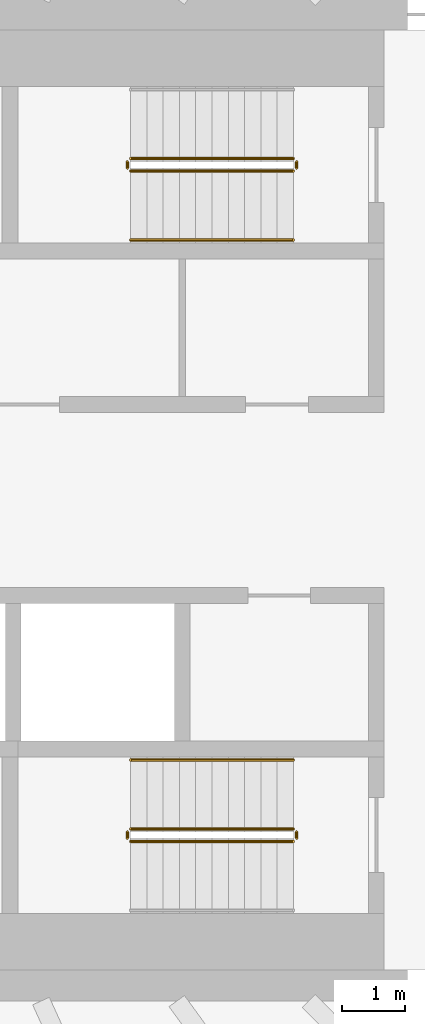
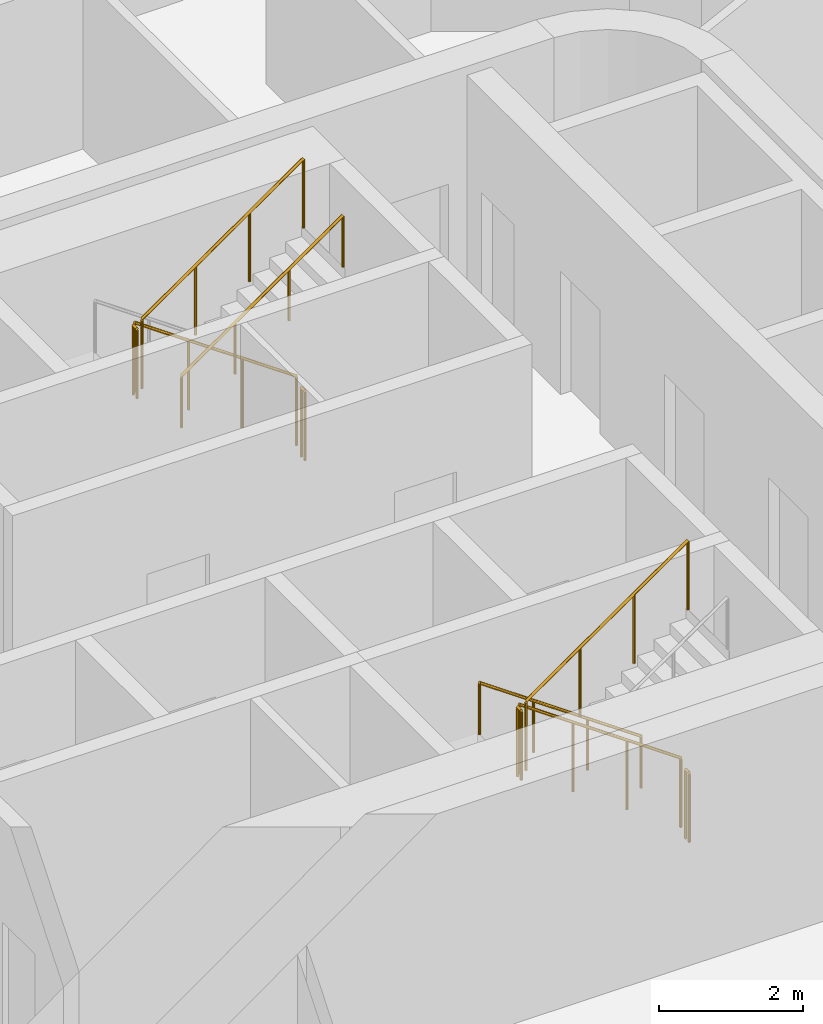
# One storey, part 21 of 23: 10 railings.
"""IFC4 building model written with IfcOpenShell, lengths in metres."""

from ifc_helpers import new_model, si_unit, direction, frame, origin, origin_2d, place, context, subcontext, project, spatial, circle, extrude, material, type_object, element, save


model = new_model("IFC4")

# Units and contexts
model_context = context("Model", 3, precision=1e-05, world=origin(), true_north=direction((0.0, 1.0)))
body_context = subcontext(model_context, "Body", "Model", "MODEL_VIEW")
ifc_project = project(units=[si_unit("LENGTHUNIT", "METRE"), si_unit("AREAUNIT", "SQUARE_METRE"), si_unit("VOLUMEUNIT", "CUBIC_METRE"), si_unit("PLANEANGLEUNIT", "RADIAN"), si_unit("MASSUNIT", "GRAM", prefix="KILO")], contexts=[model_context])

# Site, building, storey
site_placement = place(None, origin())
site = spatial("IfcSite", under=ifc_project, at=site_placement, CompositionType="ELEMENT")
building_placement = place(site_placement, origin())
building = spatial("IfcBuilding", under=site, at=building_placement, Name="Sahrelin Media Tower", CompositionType="ELEMENT")
storey_placement = place(building_placement, frame((0.0, 0.0, 161.60009765625)))
storey = spatial("IfcBuildingStorey", under=building, at=storey_placement, Name="L33", CompositionType="ELEMENT", Elevation=161.60009765625)

# Railings
ifc_material = material(Name="Steel S355", Category="steel")
railing_type_1 = type_object("IfcRailingType", Name="Stair guard 1200", PredefinedType="GUARDRAIL", material=ifc_material)
railing_1_placement = place(storey_placement, frame((7.675048828125, 5.449951171875, 0.181640625)))
element("IfcRailing", 1, at=railing_1_placement, inside=storey, type_object=railing_type_1, Name="L33 ST3 stair guard 1", PredefinedType="GUARDRAIL", context=body_context, shape_type="SweptSolid", body=[
    extrude(circle(Radius=0.02392578125, at=origin_2d()), frame((0.0, 0.0, 1.17578125), z_axis=(-0.819484887739, 0.0, 0.573100792852), x_axis=(0.0, -1.0, 0.0)), (0.0, 0.0, 1.0), 3.1728515625),
    extrude(circle(Radius=0.02099609375, at=origin_2d()), origin(), (0.0, 0.0, 1.0), 1.15185546875),
    extrude(circle(Radius=0.02099609375, at=origin_2d()), frame((-0.86669921875, 0.0, 0.606201171875)), (0.0, 0.0, 1.0), 1.15185546875),
    extrude(circle(Radius=0.02099609375, at=origin_2d()), frame((-1.7333984375, 0.0, 1.212158203125)), (0.0, 0.0, 1.0), 1.15185546875),
    extrude(circle(Radius=0.02099609375, at=origin_2d()), frame((-2.60009765625, 0.0, 1.818359375)), (0.0, 0.0, 1.0), 1.15185546875),
])
railing_2_placement = place(storey_placement, frame((5.02490234375, 5.39990234375, 2.0)))
element("IfcRailing", 2, at=railing_2_placement, inside=storey, type_object=railing_type_1, Name="L33 ST3 stair guard 2", PredefinedType="GUARDRAIL", context=body_context, shape_type="SweptSolid", body=[
    extrude(circle(Radius=0.02392578125, at=origin_2d()), frame((0.0, 0.0, 1.17578125), z_axis=(0.0, -1.0, 0.0), x_axis=(1.0, 0.0, 0.0)), (0.0, 0.0, 1.0), 0.099853515625),
    extrude(circle(Radius=0.02099609375, at=origin_2d()), origin(), (0.0, 0.0, 1.0), 1.15185546875),
    extrude(circle(Radius=0.02099609375, at=origin_2d()), frame((0.0, -0.099853515625, 0.0)), (0.0, 0.0, 1.0), 1.15185546875),
])
railing_3_placement = place(storey_placement, frame((5.074951171875, 5.25, 2.181640625)))
element("IfcRailing", 3, at=railing_3_placement, inside=storey, type_object=railing_type_1, Name="L33 ST3 stair guard 3", PredefinedType="GUARDRAIL", context=body_context, shape_type="SweptSolid", body=[
    extrude(circle(Radius=0.02392578125, at=origin_2d()), frame((0.0, 0.0, 1.17578125), z_axis=(0.819484887739, 0.0, 0.573100792852), x_axis=(0.0, 1.0, 0.0)), (0.0, 0.0, 1.0), 3.1728515625),
    extrude(circle(Radius=0.02099609375, at=origin_2d()), origin(), (0.0, 0.0, 1.0), 1.15185546875),
    extrude(circle(Radius=0.02099609375, at=origin_2d()), frame((0.86669921875, 0.0, 0.606201171875)), (0.0, 0.0, 1.0), 1.15185546875),
    extrude(circle(Radius=0.02099609375, at=origin_2d()), frame((1.7333984375, 0.0, 1.212158203125)), (0.0, 0.0, 1.0), 1.15185546875),
    extrude(circle(Radius=0.02099609375, at=origin_2d()), frame((2.60009765625, 0.0, 1.818359375)), (0.0, 0.0, 1.0), 1.15185546875),
])
railing_4_placement = place(storey_placement, frame((7.72509765625, 5.39990234375, 0.0)))
element("IfcRailing", 4, at=railing_4_placement, inside=storey, type_object=railing_type_1, Name="L33 ST3 stair guard 4", PredefinedType="GUARDRAIL", context=body_context, shape_type="SweptSolid", body=[
    extrude(circle(Radius=0.02392578125, at=origin_2d()), frame((0.0, 0.0, 1.17578125), z_axis=(0.0, -1.0, 0.0), x_axis=(1.0, 0.0, 0.0)), (0.0, 0.0, 1.0), 0.099853515625),
    extrude(circle(Radius=0.02099609375, at=origin_2d()), origin(), (0.0, 0.0, 1.0), 1.15185546875),
    extrude(circle(Radius=0.02099609375, at=origin_2d()), frame((0.0, -0.099853515625, 0.0)), (0.0, 0.0, 1.0), 1.15185546875),
])
railing_5_placement = place(storey_placement, frame((7.675048828125, -5.25, 0.181640625)))
element("IfcRailing", 5, at=railing_5_placement, inside=storey, type_object=railing_type_1, Name="L33 ST2 stair guard 1", PredefinedType="GUARDRAIL", context=body_context, shape_type="SweptSolid", body=[
    extrude(circle(Radius=0.02392578125, at=origin_2d()), frame((0.0, 0.0, 1.17578125), z_axis=(-0.819484887739, 0.0, 0.573100792852), x_axis=(0.0, -1.0, 0.0)), (0.0, 0.0, 1.0), 3.1728515625),
    extrude(circle(Radius=0.02099609375, at=origin_2d()), origin(), (0.0, 0.0, 1.0), 1.15185546875),
    extrude(circle(Radius=0.02099609375, at=origin_2d()), frame((-0.86669921875, 0.0, 0.606201171875)), (0.0, 0.0, 1.0), 1.15185546875),
    extrude(circle(Radius=0.02099609375, at=origin_2d()), frame((-1.7333984375, 0.0, 1.212158203125)), (0.0, 0.0, 1.0), 1.15185546875),
    extrude(circle(Radius=0.02099609375, at=origin_2d()), frame((-2.60009765625, 0.0, 1.818359375)), (0.0, 0.0, 1.0), 1.15185546875),
])
railing_6_placement = place(storey_placement, frame((5.02490234375, -5.300048828125, 2.0)))
element("IfcRailing", 6, at=railing_6_placement, inside=storey, type_object=railing_type_1, Name="L33 ST2 stair guard 2", PredefinedType="GUARDRAIL", context=body_context, shape_type="SweptSolid", body=[
    extrude(circle(Radius=0.02392578125, at=origin_2d()), frame((0.0, 0.0, 1.17578125), z_axis=(0.0, -1.0, 0.0), x_axis=(1.0, 0.0, 0.0)), (0.0, 0.0, 1.0), 0.099853515625),
    extrude(circle(Radius=0.02099609375, at=origin_2d()), origin(), (0.0, 0.0, 1.0), 1.15185546875),
    extrude(circle(Radius=0.02099609375, at=origin_2d()), frame((0.0, -0.099853515625, 0.0)), (0.0, 0.0, 1.0), 1.15185546875),
])
railing_7_placement = place(storey_placement, frame((5.074951171875, -5.449951171875, 2.181640625)))
element("IfcRailing", 7, at=railing_7_placement, inside=storey, type_object=railing_type_1, Name="L33 ST2 stair guard 3", PredefinedType="GUARDRAIL", context=body_context, shape_type="SweptSolid", body=[
    extrude(circle(Radius=0.02392578125, at=origin_2d()), frame((0.0, 0.0, 1.17578125), z_axis=(0.819484887739, 0.0, 0.573100792852), x_axis=(0.0, 1.0, 0.0)), (0.0, 0.0, 1.0), 3.1728515625),
    extrude(circle(Radius=0.02099609375, at=origin_2d()), origin(), (0.0, 0.0, 1.0), 1.15185546875),
    extrude(circle(Radius=0.02099609375, at=origin_2d()), frame((0.86669921875, 0.0, 0.606201171875)), (0.0, 0.0, 1.0), 1.15185546875),
    extrude(circle(Radius=0.02099609375, at=origin_2d()), frame((1.7333984375, 0.0, 1.212158203125)), (0.0, 0.0, 1.0), 1.15185546875),
    extrude(circle(Radius=0.02099609375, at=origin_2d()), frame((2.60009765625, 0.0, 1.818359375)), (0.0, 0.0, 1.0), 1.15185546875),
])
railing_8_placement = place(storey_placement, frame((7.72509765625, -5.300048828125, 0.0)))
element("IfcRailing", 8, at=railing_8_placement, inside=storey, type_object=railing_type_1, Name="L33 ST2 stair guard 4", PredefinedType="GUARDRAIL", context=body_context, shape_type="SweptSolid", body=[
    extrude(circle(Radius=0.02392578125, at=origin_2d()), frame((0.0, 0.0, 1.17578125), z_axis=(0.0, -1.0, 0.0), x_axis=(1.0, 0.0, 0.0)), (0.0, 0.0, 1.0), 0.099853515625),
    extrude(circle(Radius=0.02099609375, at=origin_2d()), origin(), (0.0, 0.0, 1.0), 1.15185546875),
    extrude(circle(Radius=0.02099609375, at=origin_2d()), frame((0.0, -0.099853515625, 0.0)), (0.0, 0.0, 1.0), 1.15185546875),
])
railing_type_2 = type_object("IfcRailingType", Name="Stair handrail 900", PredefinedType="HANDRAIL", material=ifc_material)
railing_9_placement = place(storey_placement, frame((5.074951171875, 4.14990234375, 2.181640625)))
element("IfcRailing", 9, at=railing_9_placement, inside=storey, type_object=railing_type_2, Name="L33 ST3 stair handrail 2", PredefinedType="HANDRAIL", context=body_context, shape_type="SweptSolid", body=[
    extrude(circle(Radius=0.02392578125, at=origin_2d()), frame((0.0, 0.0, 0.8759765625), z_axis=(0.819484887739, 0.0, 0.573100792852), x_axis=(0.0, 1.0, 0.0)), (0.0, 0.0, 1.0), 3.1728515625),
    extrude(circle(Radius=0.02099609375, at=origin_2d()), origin(), (0.0, 0.0, 1.0), 0.851806640625),
    extrude(circle(Radius=0.02099609375, at=origin_2d()), frame((0.86669921875, 0.0, 0.606201171875)), (0.0, 0.0, 1.0), 0.851806640625),
    extrude(circle(Radius=0.02099609375, at=origin_2d()), frame((1.7333984375, 0.0, 1.212158203125)), (0.0, 0.0, 1.0), 0.851806640625),
    extrude(circle(Radius=0.02099609375, at=origin_2d()), frame((2.60009765625, 0.0, 1.818359375)), (0.0, 0.0, 1.0), 0.851806640625),
])
railing_10_placement = place(storey_placement, frame((7.675048828125, -4.14990234375, 0.181640625)))
element("IfcRailing", 10, at=railing_10_placement, inside=storey, type_object=railing_type_2, Name="L33 ST2 stair handrail 1", PredefinedType="HANDRAIL", context=body_context, shape_type="SweptSolid", body=[
    extrude(circle(Radius=0.02392578125, at=origin_2d()), frame((0.0, 0.0, 0.8759765625), z_axis=(-0.819484887739, 0.0, 0.573100792852), x_axis=(0.0, -1.0, 0.0)), (0.0, 0.0, 1.0), 3.1728515625),
    extrude(circle(Radius=0.02099609375, at=origin_2d()), origin(), (0.0, 0.0, 1.0), 0.851806640625),
    extrude(circle(Radius=0.02099609375, at=origin_2d()), frame((-0.86669921875, 0.0, 0.606201171875)), (0.0, 0.0, 1.0), 0.851806640625),
    extrude(circle(Radius=0.02099609375, at=origin_2d()), frame((-1.7333984375, 0.0, 1.212158203125)), (0.0, 0.0, 1.0), 0.851806640625),
    extrude(circle(Radius=0.02099609375, at=origin_2d()), frame((-2.60009765625, 0.0, 1.818359375)), (0.0, 0.0, 1.0), 0.851806640625),
])

save(model, "model.ifc")
